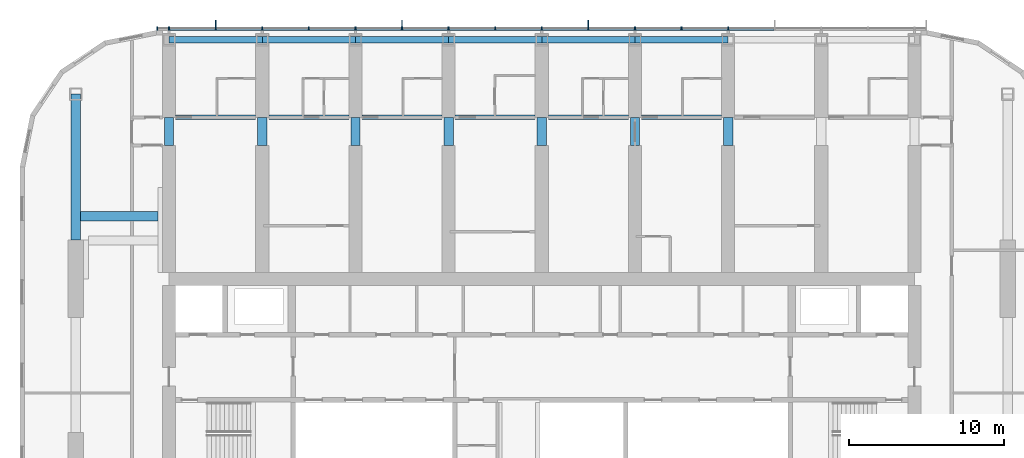
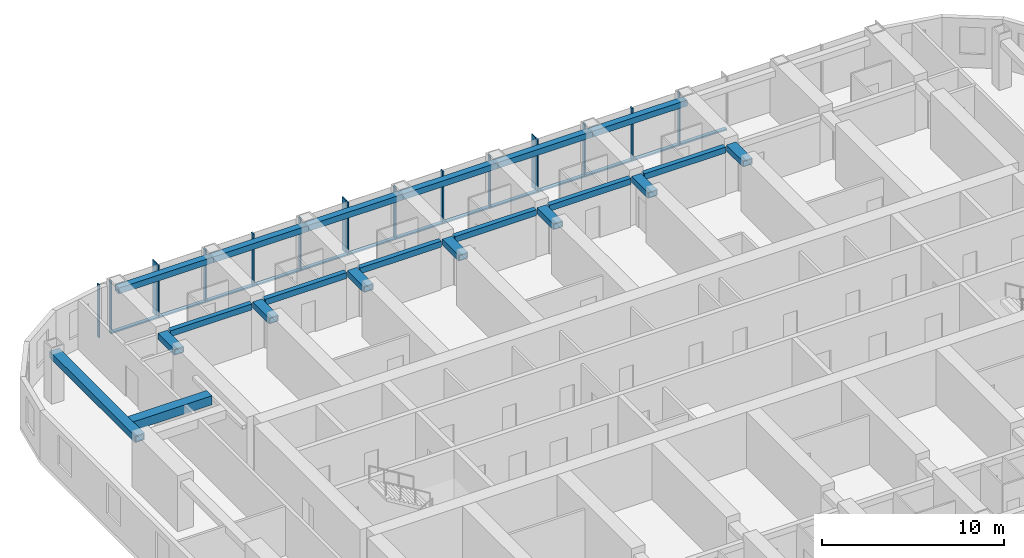
# One storey, part 4 of 22: 30 members, 21 beams, 1 element without a shape of its own.
"""IFC4 building model written with IfcOpenShell, lengths in metres."""

from ifc_helpers import new_model, si_unit, direction, frame, origin, origin_2d, place, context, subcontext, project, spatial, rectangle, hollow_rectangle, extrude, material, material_profile, profile_set, type_object, element, aggregate, save


model = new_model("IFC4")

# Units and contexts
model_context = context("Model", 3, precision=1e-05, world=origin(), true_north=direction((0.0, 1.0)))
body_context = subcontext(model_context, "Body", "Model", "MODEL_VIEW")
ifc_project = project(units=[si_unit("LENGTHUNIT", "METRE"), si_unit("AREAUNIT", "SQUARE_METRE"), si_unit("VOLUMEUNIT", "CUBIC_METRE"), si_unit("PLANEANGLEUNIT", "RADIAN"), si_unit("MASSUNIT", "GRAM", prefix="KILO")], contexts=[model_context])

# Site, building, storey
site_placement = place(None, origin())
site = spatial("IfcSite", under=ifc_project, at=site_placement, CompositionType="ELEMENT")
building_placement = place(site_placement, origin())
building = spatial("IfcBuilding", under=site, at=building_placement, Name="Orbita Commons", CompositionType="ELEMENT")
storey_placement = place(building_placement, frame((0.0, 0.0, 144.85009765625)))
storey = spatial("IfcBuildingStorey", under=building, at=storey_placement, Name="L35", CompositionType="ELEMENT", Elevation=144.85009765625)

# Curtain wall, members
ifc_material_1 = material(Name="Anodised aluminium frame, pale silver", Category="aluminium")
curtain_wall_type = type_object("IfcCurtainWallType", Name="Unitised curtain wall CW-U, full-height vision", PredefinedType="NOTDEFINED", material=ifc_material_1)
curtain_wall_placement = place(storey_placement, origin())
curtain_wall = element("IfcCurtainWall", 1, at=curtain_wall_placement, inside=storey, type_object=curtain_wall_type, Name="Curtain wall north L35", PredefinedType="NOTDEFINED")
ifc_material_2 = material(Name="Anodised aluminium, pale silver", Category="aluminium")
ifc_material_profile_1 = material_profile(ifc_material_2, rectangle(XDim=0.080078125, YDim=0.219970703125, at=origin_2d()), Name="AL 80x220")
ifc_profile_set_1 = profile_set([ifc_material_profile_1], Name="Anodised aluminium, pale silver")
member_type_1 = type_object("IfcMemberType", Name="Curtain wall mullion 80x220", PredefinedType="MULLION", material=ifc_profile_set_1)
member_1_placement = place(storey_placement, frame((54.0, 54.31005859375, -0.25), z_axis=(0.0, 0.0, 1.0), x_axis=(-1.0, 0.0, 0.0)))
member_1 = element("IfcMember", 2, at=member_1_placement, type_object=member_type_1, Name="Mullion 6 CW-L35-N", PredefinedType="MULLION", context=body_context, shape_type="SweptSolid", body=[
    extrude(rectangle(XDim=0.080078125, YDim=0.219970703125, at=origin_2d()), origin(), (0.0, 0.0, 1.0), 3.5498046875),
])
member_2_placement = place(storey_placement, frame((51.0, 54.31005859375, -0.25), z_axis=(0.0, 0.0, 1.0), x_axis=(-1.0, 0.0, 0.0)))
member_2 = element("IfcMember", 3, at=member_2_placement, type_object=member_type_1, Name="Mullion 7 CW-L35-N", PredefinedType="MULLION", context=body_context, shape_type="SweptSolid", body=[
    extrude(rectangle(XDim=0.080078125, YDim=0.219970703125, at=origin_2d()), origin(), (0.0, 0.0, 1.0), 3.5498046875),
])
member_3_placement = place(storey_placement, frame((48.0, 54.31005859375, -0.25), z_axis=(0.0, 0.0, 1.0), x_axis=(-1.0, 0.0, 0.0)))
member_3 = element("IfcMember", 4, at=member_3_placement, type_object=member_type_1, Name="Mullion 8 CW-L35-N", PredefinedType="MULLION", context=body_context, shape_type="SweptSolid", body=[
    extrude(rectangle(XDim=0.080078125, YDim=0.219970703125, at=origin_2d()), origin(), (0.0, 0.0, 1.0), 3.5498046875),
])
member_4_placement = place(storey_placement, frame((45.0, 54.31005859375, -0.25), z_axis=(0.0, 0.0, 1.0), x_axis=(-1.0, 0.0, 0.0)))
member_4 = element("IfcMember", 5, at=member_4_placement, type_object=member_type_1, Name="Mullion 9 CW-L35-N", PredefinedType="MULLION", context=body_context, shape_type="SweptSolid", body=[
    extrude(rectangle(XDim=0.080078125, YDim=0.219970703125, at=origin_2d()), origin(), (0.0, 0.0, 1.0), 3.5498046875),
])
member_5_placement = place(storey_placement, frame((42.0, 54.31005859375, -0.25), z_axis=(0.0, 0.0, 1.0), x_axis=(-1.0, 0.0, 0.0)))
member_5 = element("IfcMember", 6, at=member_5_placement, type_object=member_type_1, Name="Mullion 10 CW-L35-N", PredefinedType="MULLION", context=body_context, shape_type="SweptSolid", body=[
    extrude(rectangle(XDim=0.080078125, YDim=0.219970703125, at=origin_2d()), origin(), (0.0, 0.0, 1.0), 3.5498046875),
])
member_6_placement = place(storey_placement, frame((39.0, 54.31005859375, -0.25), z_axis=(0.0, 0.0, 1.0), x_axis=(-1.0, 0.0, 0.0)))
member_6 = element("IfcMember", 7, at=member_6_placement, type_object=member_type_1, Name="Mullion 11 CW-L35-N", PredefinedType="MULLION", context=body_context, shape_type="SweptSolid", body=[
    extrude(rectangle(XDim=0.080078125, YDim=0.219970703125, at=origin_2d()), origin(), (0.0, 0.0, 1.0), 3.5498046875),
])
member_7_placement = place(storey_placement, frame((36.0, 54.31005859375, -0.25), z_axis=(0.0, 0.0, 1.0), x_axis=(-1.0, 0.0, 0.0)))
member_7 = element("IfcMember", 8, at=member_7_placement, type_object=member_type_1, Name="Mullion 12 CW-L35-N", PredefinedType="MULLION", context=body_context, shape_type="SweptSolid", body=[
    extrude(rectangle(XDim=0.080078125, YDim=0.219970703125, at=origin_2d()), origin(), (0.0, 0.0, 1.0), 3.5498046875),
])
member_8_placement = place(storey_placement, frame((33.0, 54.31005859375, -0.25), z_axis=(0.0, 0.0, 1.0), x_axis=(-1.0, 0.0, 0.0)))
member_8 = element("IfcMember", 9, at=member_8_placement, type_object=member_type_1, Name="Mullion 13 CW-L35-N", PredefinedType="MULLION", context=body_context, shape_type="SweptSolid", body=[
    extrude(rectangle(XDim=0.080078125, YDim=0.219970703125, at=origin_2d()), origin(), (0.0, 0.0, 1.0), 3.5498046875),
])
member_9_placement = place(storey_placement, frame((30.0, 54.31005859375, -0.25), z_axis=(0.0, 0.0, 1.0), x_axis=(-1.0, 0.0, 0.0)))
member_9 = element("IfcMember", 10, at=member_9_placement, type_object=member_type_1, Name="Mullion 14 CW-L35-N", PredefinedType="MULLION", context=body_context, shape_type="SweptSolid", body=[
    extrude(rectangle(XDim=0.080078125, YDim=0.219970703125, at=origin_2d()), origin(), (0.0, 0.0, 1.0), 3.5498046875),
])
member_10_placement = place(storey_placement, frame((27.0, 54.31005859375, -0.25), z_axis=(0.0, 0.0, 1.0), x_axis=(-1.0, 0.0, 0.0)))
member_10 = element("IfcMember", 11, at=member_10_placement, type_object=member_type_1, Name="Mullion 15 CW-L35-N", PredefinedType="MULLION", context=body_context, shape_type="SweptSolid", body=[
    extrude(rectangle(XDim=0.080078125, YDim=0.219970703125, at=origin_2d()), origin(), (0.0, 0.0, 1.0), 3.5498046875),
])
member_11_placement = place(storey_placement, frame((24.0, 54.31005859375, -0.25), z_axis=(0.0, 0.0, 1.0), x_axis=(-1.0, 0.0, 0.0)))
member_11 = element("IfcMember", 12, at=member_11_placement, type_object=member_type_1, Name="Mullion 16 CW-L35-N", PredefinedType="MULLION", context=body_context, shape_type="SweptSolid", body=[
    extrude(rectangle(XDim=0.080078125, YDim=0.219970703125, at=origin_2d()), origin(), (0.0, 0.0, 1.0), 3.5498046875),
])
member_12_placement = place(storey_placement, frame((21.0, 54.31005859375, -0.25), z_axis=(0.0, 0.0, 1.0), x_axis=(-1.0, 0.0, 0.0)))
member_12 = element("IfcMember", 13, at=member_12_placement, type_object=member_type_1, Name="Mullion 17 CW-L35-N", PredefinedType="MULLION", context=body_context, shape_type="SweptSolid", body=[
    extrude(rectangle(XDim=0.080078125, YDim=0.219970703125, at=origin_2d()), origin(), (0.0, 0.0, 1.0), 3.5498046875),
])
member_13_placement = place(storey_placement, frame((18.0, 54.31005859375, -0.25), z_axis=(0.0, 0.0, 1.0), x_axis=(-1.0, 0.0, 0.0)))
member_13 = element("IfcMember", 14, at=member_13_placement, type_object=member_type_1, Name="Mullion 18 CW-L35-N", PredefinedType="MULLION", context=body_context, shape_type="SweptSolid", body=[
    extrude(rectangle(XDim=0.080078125, YDim=0.219970703125, at=origin_2d()), origin(), (0.0, 0.0, 1.0), 3.5498046875),
])
member_14_placement = place(storey_placement, frame((17.239990234375, 54.31005859375, -0.25), z_axis=(0.0, 0.0, 1.0), x_axis=(-1.0, 0.0, 0.0)))
member_14 = element("IfcMember", 15, at=member_14_placement, type_object=member_type_1, Name="Mullion 19 CW-L35-N", PredefinedType="MULLION", context=body_context, shape_type="SweptSolid", body=[
    extrude(rectangle(XDim=0.080078125, YDim=0.219970703125, at=origin_2d()), origin(), (0.0, 0.0, 1.0), 3.5498046875),
])
ifc_material_3 = material(Name="Anodised aluminium, pale silver", Category="aluminium")
ifc_material_profile_2 = material_profile(ifc_material_3, rectangle(XDim=0.219970703125, YDim=0.10009765625, at=origin_2d()), Name="AL 220x100")
ifc_profile_set_2 = profile_set([ifc_material_profile_2], Name="Anodised aluminium, pale silver")
member_type_2 = type_object("IfcMemberType", Name="Curtain wall stack transom 220x100", PredefinedType="USERDEFINED", material=ifc_profile_set_2)
member_15_placement = place(storey_placement, frame((56.9599609375, 54.31005859375, -0.2001953125), z_axis=(-1.0, 0.0, 0.0), x_axis=(0.0, -1.0, 0.0)))
member_15 = element("IfcMember", 16, at=member_15_placement, type_object=member_type_2, Name="Transom 5.1 CW-L35-N", ObjectType="TRANSOM", PredefinedType="USERDEFINED", context=body_context, shape_type="SweptSolid", body=[
    extrude(rectangle(XDim=0.219970703125, YDim=0.10009765625, at=origin_2d()), origin(), (0.0, 0.0, 1.0), 2.919921875),
])
member_16_placement = place(storey_placement, frame((53.9599609375, 54.31005859375, -0.2001953125), z_axis=(-1.0, 0.0, 0.0), x_axis=(0.0, -1.0, 0.0)))
member_16 = element("IfcMember", 17, at=member_16_placement, type_object=member_type_2, Name="Transom 6.1 CW-L35-N", ObjectType="TRANSOM", PredefinedType="USERDEFINED", context=body_context, shape_type="SweptSolid", body=[
    extrude(rectangle(XDim=0.219970703125, YDim=0.10009765625, at=origin_2d()), origin(), (0.0, 0.0, 1.0), 2.919921875),
])
member_17_placement = place(storey_placement, frame((50.9599609375, 54.31005859375, -0.2001953125), z_axis=(-1.0, 0.0, 0.0), x_axis=(0.0, -1.0, 0.0)))
member_17 = element("IfcMember", 18, at=member_17_placement, type_object=member_type_2, Name="Transom 7.1 CW-L35-N", ObjectType="TRANSOM", PredefinedType="USERDEFINED", context=body_context, shape_type="SweptSolid", body=[
    extrude(rectangle(XDim=0.219970703125, YDim=0.10009765625, at=origin_2d()), origin(), (0.0, 0.0, 1.0), 2.919921875),
])
member_18_placement = place(storey_placement, frame((47.9599609375, 54.31005859375, -0.2001953125), z_axis=(-1.0, 0.0, 0.0), x_axis=(0.0, -1.0, 0.0)))
member_18 = element("IfcMember", 19, at=member_18_placement, type_object=member_type_2, Name="Transom 8.1 CW-L35-N", ObjectType="TRANSOM", PredefinedType="USERDEFINED", context=body_context, shape_type="SweptSolid", body=[
    extrude(rectangle(XDim=0.219970703125, YDim=0.10009765625, at=origin_2d()), origin(), (0.0, 0.0, 1.0), 2.919921875),
])
member_19_placement = place(storey_placement, frame((44.9599609375, 54.31005859375, -0.2001953125), z_axis=(-1.0, 0.0, 0.0), x_axis=(0.0, -1.0, 0.0)))
member_19 = element("IfcMember", 20, at=member_19_placement, type_object=member_type_2, Name="Transom 9.1 CW-L35-N", ObjectType="TRANSOM", PredefinedType="USERDEFINED", context=body_context, shape_type="SweptSolid", body=[
    extrude(rectangle(XDim=0.219970703125, YDim=0.10009765625, at=origin_2d()), origin(), (0.0, 0.0, 1.0), 2.919921875),
])
member_20_placement = place(storey_placement, frame((41.9599609375, 54.31005859375, -0.2001953125), z_axis=(-1.0, 0.0, 0.0), x_axis=(0.0, -1.0, 0.0)))
member_20 = element("IfcMember", 21, at=member_20_placement, type_object=member_type_2, Name="Transom 10.1 CW-L35-N", ObjectType="TRANSOM", PredefinedType="USERDEFINED", context=body_context, shape_type="SweptSolid", body=[
    extrude(rectangle(XDim=0.219970703125, YDim=0.10009765625, at=origin_2d()), origin(), (0.0, 0.0, 1.0), 2.919921875),
])
member_21_placement = place(storey_placement, frame((38.9599609375, 54.31005859375, -0.2001953125), z_axis=(-1.0, 0.0, 0.0), x_axis=(0.0, -1.0, 0.0)))
member_21 = element("IfcMember", 22, at=member_21_placement, type_object=member_type_2, Name="Transom 11.1 CW-L35-N", ObjectType="TRANSOM", PredefinedType="USERDEFINED", context=body_context, shape_type="SweptSolid", body=[
    extrude(rectangle(XDim=0.219970703125, YDim=0.10009765625, at=origin_2d()), origin(), (0.0, 0.0, 1.0), 2.919921875),
])
member_22_placement = place(storey_placement, frame((35.9599609375, 54.31005859375, -0.2001953125), z_axis=(-1.0, 0.0, 0.0), x_axis=(0.0, -1.0, 0.0)))
member_22 = element("IfcMember", 23, at=member_22_placement, type_object=member_type_2, Name="Transom 12.1 CW-L35-N", ObjectType="TRANSOM", PredefinedType="USERDEFINED", context=body_context, shape_type="SweptSolid", body=[
    extrude(rectangle(XDim=0.219970703125, YDim=0.10009765625, at=origin_2d()), origin(), (0.0, 0.0, 1.0), 2.919921875),
])
member_23_placement = place(storey_placement, frame((32.9599609375, 54.31005859375, -0.2001953125), z_axis=(-1.0, 0.0, 0.0), x_axis=(0.0, -1.0, 0.0)))
member_23 = element("IfcMember", 24, at=member_23_placement, type_object=member_type_2, Name="Transom 13.1 CW-L35-N", ObjectType="TRANSOM", PredefinedType="USERDEFINED", context=body_context, shape_type="SweptSolid", body=[
    extrude(rectangle(XDim=0.219970703125, YDim=0.10009765625, at=origin_2d()), origin(), (0.0, 0.0, 1.0), 2.919921875),
])
member_24_placement = place(storey_placement, frame((29.9599609375, 54.31005859375, -0.2001953125), z_axis=(-1.0, 0.0, 0.0), x_axis=(0.0, -1.0, 0.0)))
member_24 = element("IfcMember", 25, at=member_24_placement, type_object=member_type_2, Name="Transom 14.1 CW-L35-N", ObjectType="TRANSOM", PredefinedType="USERDEFINED", context=body_context, shape_type="SweptSolid", body=[
    extrude(rectangle(XDim=0.219970703125, YDim=0.10009765625, at=origin_2d()), origin(), (0.0, 0.0, 1.0), 2.919921875),
])
member_25_placement = place(storey_placement, frame((26.9599609375, 54.31005859375, -0.2001953125), z_axis=(-1.0, 0.0, 0.0), x_axis=(0.0, -1.0, 0.0)))
member_25 = element("IfcMember", 26, at=member_25_placement, type_object=member_type_2, Name="Transom 15.1 CW-L35-N", ObjectType="TRANSOM", PredefinedType="USERDEFINED", context=body_context, shape_type="SweptSolid", body=[
    extrude(rectangle(XDim=0.219970703125, YDim=0.10009765625, at=origin_2d()), origin(), (0.0, 0.0, 1.0), 2.919921875),
])
member_26_placement = place(storey_placement, frame((23.9599609375, 54.31005859375, -0.2001953125), z_axis=(-1.0, 0.0, 0.0), x_axis=(0.0, -1.0, 0.0)))
member_26 = element("IfcMember", 27, at=member_26_placement, type_object=member_type_2, Name="Transom 16.1 CW-L35-N", ObjectType="TRANSOM", PredefinedType="USERDEFINED", context=body_context, shape_type="SweptSolid", body=[
    extrude(rectangle(XDim=0.219970703125, YDim=0.10009765625, at=origin_2d()), origin(), (0.0, 0.0, 1.0), 2.919921875),
])
member_27_placement = place(storey_placement, frame((20.9599609375, 54.31005859375, -0.2001953125), z_axis=(-1.0, 0.0, 0.0), x_axis=(0.0, -1.0, 0.0)))
member_27 = element("IfcMember", 28, at=member_27_placement, type_object=member_type_2, Name="Transom 17.1 CW-L35-N", ObjectType="TRANSOM", PredefinedType="USERDEFINED", context=body_context, shape_type="SweptSolid", body=[
    extrude(rectangle(XDim=0.219970703125, YDim=0.10009765625, at=origin_2d()), origin(), (0.0, 0.0, 1.0), 2.919921875),
])

# Beams
ifc_material_4 = material(Name="Steel ASTM A572 Gr 50 welded plate", Category="steel")
ifc_material_profile_3 = material_profile(ifc_material_4, hollow_rectangle(XDim=0.60009765625, YDim=0.60009765625, WallThickness=0.06005859375, at=origin_2d()), Name="BOX 600x600x60")
ifc_profile_set_3 = profile_set([ifc_material_profile_3], Name="Steel ASTM A572 Gr 50 welded plate")
beam_type_1 = type_object("IfcBeamType", Name="Stair trimmer beam BOX 600x600x60", PredefinedType="BEAM", material=ifc_profile_set_3)
beam_1_placement = place(storey_placement, frame((12.300048828125, 42.235107421875, 3.0), z_axis=(1.0, 0.0, 0.0), x_axis=(0.0, 1.0, 0.0)))
element("IfcBeam", 29, at=beam_1_placement, inside=storey, type_object=beam_type_1, Name="Neighbourhood stair L36 to L37 transfer beam 2", PredefinedType="BEAM", context=body_context, shape_type="SweptSolid", body=[
    extrude(hollow_rectangle(XDim=0.60009765625, YDim=0.60009765625, WallThickness=0.06005859375, at=origin_2d()), origin(), (0.0, 0.0, 1.0), 4.974853515625),
])
ifc_material_5 = material(Name="Steel ASTM A572 Gr 50 welded plate", Category="steel")
ifc_material_profile_4 = material_profile(ifc_material_5, hollow_rectangle(XDim=0.300048828125, YDim=0.39990234375, WallThickness=0.0400390625, at=origin_2d()), Name="BOX 400x300x40")
ifc_profile_set_4 = profile_set([ifc_material_profile_4], Name="Steel ASTM A572 Gr 50 welded plate")
beam_type_2 = type_object("IfcBeamType", Name="Steel corridor link BOX 400x300x40", PredefinedType="BEAM", material=ifc_profile_set_4)
for number, where, z_axis, x_axis, name in (
    (30, (18.425048828125, 48.60009765625, 3.099853515625), (1.0, 0.0, 0.0), (0.0, 1.0, 0.0), "Corridor beam NB 4-5 L35"),
    (31, (24.425048828125, 48.60009765625, 3.099853515625), (1.0, 0.0, 0.0), (0.0, 1.0, 0.0), "Corridor beam NB 5-6 L35"),
    (32, (30.425048828125, 48.60009765625, 3.099853515625), (1.0, 0.0, 0.0), (0.0, 1.0, 0.0), "Corridor beam NB 6-7 L35"),
    (33, (36.425048828125, 48.60009765625, 3.099853515625), (1.0, 0.0, 0.0), (0.0, 1.0, 0.0), "Corridor beam NB 7-8 L35"),
    (34, (42.425048828125, 48.60009765625, 3.099853515625), (1.0, 0.0, 0.0), (0.0, 1.0, 0.0), "Corridor beam NB 8-9 L35"),
    (35, (48.425048828125, 48.60009765625, 3.099853515625), (1.0, 0.0, 0.0), (0.0, 1.0, 0.0), "Corridor beam NB 9-10 L35"),
):
    element("IfcBeam", number, at=place(storey_placement, frame(where, z_axis=z_axis, x_axis=x_axis)), inside=storey, type_object=beam_type_2, Name=name, PredefinedType="BEAM", context=body_context, shape_type="SweptSolid", body=[
        extrude(hollow_rectangle(XDim=0.300048828125, YDim=0.39990234375, WallThickness=0.0400390625, at=origin_2d()), origin(), (0.0, 0.0, 1.0), 5.14990234375),
    ])
ifc_material_6 = material(Name="Steel ASTM A572 Gr 50 welded plate", Category="steel")
ifc_material_profile_5 = material_profile(ifc_material_6, hollow_rectangle(XDim=0.60009765625, YDim=0.39990234375, WallThickness=0.050048828125, at=origin_2d()), Name="BOX 400x600x50")
ifc_profile_set_5 = profile_set([ifc_material_profile_5], Name="Steel ASTM A572 Gr 50 welded plate")
beam_type_3 = type_object("IfcBeamType", Name="Steel coupling link BOX 400x600x50", PredefinedType="LINTEL", material=ifc_profile_set_5)
for number, where, z_axis, x_axis, name in (
    (36, (18.0, 46.800048828125, 3.099853515625), (0.0, 1.0, 0.0), (-1.0, 0.0, 0.0), "Coupling beam 4 north L35"),
    (37, (24.0, 46.800048828125, 3.099853515625), (0.0, 1.0, 0.0), (-1.0, 0.0, 0.0), "Coupling beam 5 north L35"),
    (38, (30.0, 46.800048828125, 3.099853515625), (0.0, 1.0, 0.0), (-1.0, 0.0, 0.0), "Coupling beam 6 north L35"),
    (39, (36.0, 46.800048828125, 3.099853515625), (0.0, 1.0, 0.0), (-1.0, 0.0, 0.0), "Coupling beam 7 north L35"),
    (40, (42.0, 46.800048828125, 3.099853515625), (0.0, 1.0, 0.0), (-1.0, 0.0, 0.0), "Coupling beam 8 north L35"),
    (41, (48.0, 46.800048828125, 3.099853515625), (0.0, 1.0, 0.0), (-1.0, 0.0, 0.0), "Coupling beam 9 north L35"),
    (42, (54.0, 46.800048828125, 3.099853515625), (0.0, 1.0, 0.0), (-1.0, 0.0, 0.0), "Coupling beam 10 north L35"),
):
    element("IfcBeam", number, at=place(storey_placement, frame(where, z_axis=z_axis, x_axis=x_axis)), inside=storey, type_object=beam_type_3, Name=name, PredefinedType="LINTEL", context=body_context, shape_type="SweptSolid", body=[
        extrude(hollow_rectangle(XDim=0.60009765625, YDim=0.39990234375, WallThickness=0.050048828125, at=origin_2d()), origin(), (0.0, 0.0, 1.0), 1.800048828125),
    ])
ifc_material_7 = material(Name="Steel ASTM A572 Gr 50 welded plate", Category="steel")
ifc_material_profile_6 = material_profile(ifc_material_7, hollow_rectangle(XDim=0.60009765625, YDim=0.449951171875, WallThickness=0.06005859375, at=origin_2d()), Name="BOX 450x600x60")
ifc_profile_set_6 = profile_set([ifc_material_profile_6], Name="Steel ASTM A572 Gr 50 welded plate")
beam_type_4 = type_object("IfcBeamType", Name="Steel end frame link BOX 450x600x60", PredefinedType="BEAM", material=ifc_profile_set_6)
beam_2_placement = place(storey_placement, frame((12.0, 40.699951171875, 3.074951171875), z_axis=(0.0, 1.0, 0.0), x_axis=(-1.0, 0.0, 0.0)))
element("IfcBeam", 43, at=beam_2_placement, inside=storey, type_object=beam_type_4, Name="End frame beam 3 D-E L35", PredefinedType="BEAM", context=body_context, shape_type="SweptSolid", body=[
    extrude(hollow_rectangle(XDim=0.60009765625, YDim=0.449951171875, WallThickness=0.06005859375, at=origin_2d()), origin(), (0.0, 0.0, 1.0), 9.400146484375),
])
ifc_material_8 = material(Name="Steel ASTM A572 Gr 50 welded plate", Category="steel")
ifc_material_profile_7 = material_profile(ifc_material_8, hollow_rectangle(XDim=0.39990234375, YDim=0.39990234375, WallThickness=0.0400390625, at=origin_2d()), Name="BOX 400x400x40")
ifc_profile_set_7 = profile_set([ifc_material_profile_7], Name="Steel ASTM A572 Gr 50 welded plate")
beam_type_5 = type_object("IfcBeamType", Name="Steel spandrel BOX 400x400x40", PredefinedType="SPANDREL", material=ifc_profile_set_7)
for number, where, z_axis, x_axis, name in (
    (44, (18.0, 53.60009765625, 3.099853515625), (1.0, 0.0, 0.0), (0.0, 1.0, 0.0), "Spandrel beam E 4-5 L35"),
    (45, (24.0, 53.60009765625, 3.099853515625), (1.0, 0.0, 0.0), (0.0, 1.0, 0.0), "Spandrel beam E 5-6 L35"),
    (46, (30.0, 53.60009765625, 3.099853515625), (1.0, 0.0, 0.0), (0.0, 1.0, 0.0), "Spandrel beam E 6-7 L35"),
    (47, (36.0, 53.60009765625, 3.099853515625), (1.0, 0.0, 0.0), (0.0, 1.0, 0.0), "Spandrel beam E 7-8 L35"),
    (48, (42.0, 53.60009765625, 3.099853515625), (1.0, 0.0, 0.0), (0.0, 1.0, 0.0), "Spandrel beam E 8-9 L35"),
    (49, (48.0, 53.60009765625, 3.099853515625), (1.0, 0.0, 0.0), (0.0, 1.0, 0.0), "Spandrel beam E 9-10 L35"),
):
    element("IfcBeam", number, at=place(storey_placement, frame(where, z_axis=z_axis, x_axis=x_axis)), inside=storey, type_object=beam_type_5, Name=name, PredefinedType="SPANDREL", context=body_context, shape_type="SweptSolid", body=[
        extrude(hollow_rectangle(XDim=0.39990234375, YDim=0.39990234375, WallThickness=0.0400390625, at=origin_2d()), origin(), (0.0, 0.0, 1.0), 6.0),
    ])

# Member
ifc_material_9 = material(Name="Anodised aluminium, pale silver", Category="aluminium")
ifc_material_profile_8 = material_profile(ifc_material_9, rectangle(XDim=0.06005859375, YDim=0.449951171875, at=origin_2d()), Name="FIN 60x450")
ifc_profile_set_8 = profile_set([ifc_material_profile_8], Name="Anodised aluminium, pale silver")
member_type_3 = type_object("IfcMemberType", Name="Vertical fin 60x450 pale aluminium", PredefinedType="USERDEFINED", material=ifc_profile_set_8)
member_28_placement = place(storey_placement, frame((45.0, 54.64501953125, -0.25), z_axis=(0.0, 0.0, 1.0), x_axis=(-1.0, 0.0, 0.0)))
member_28 = element("IfcMember", 50, at=member_28_placement, type_object=member_type_3, Name="Fin 9 CW-L35-N", ObjectType="FIN", PredefinedType="USERDEFINED", context=body_context, shape_type="SweptSolid", body=[
    extrude(rectangle(XDim=0.06005859375, YDim=0.449951171875, at=origin_2d()), origin(), (0.0, 0.0, 1.0), 3.5498046875),
])

member_29_placement = place(storey_placement, frame((33.0, 54.64501953125, -0.25), z_axis=(0.0, 0.0, 1.0), x_axis=(-1.0, 0.0, 0.0)))
member_29 = element("IfcMember", 51, at=member_29_placement, type_object=member_type_3, Name="Fin 13 CW-L35-N", ObjectType="FIN", PredefinedType="USERDEFINED", context=body_context, shape_type="SweptSolid", body=[
    extrude(rectangle(XDim=0.06005859375, YDim=0.449951171875, at=origin_2d()), origin(), (0.0, 0.0, 1.0), 3.5498046875),
])

member_30_placement = place(storey_placement, frame((21.0, 54.64501953125, -0.25), z_axis=(0.0, 0.0, 1.0), x_axis=(-1.0, 0.0, 0.0)))
member_30 = element("IfcMember", 52, at=member_30_placement, type_object=member_type_3, Name="Fin 17 CW-L35-N", ObjectType="FIN", PredefinedType="USERDEFINED", context=body_context, shape_type="SweptSolid", body=[
    extrude(rectangle(XDim=0.06005859375, YDim=0.449951171875, at=origin_2d()), origin(), (0.0, 0.0, 1.0), 3.5498046875),
])

aggregate(curtain_wall, [member_1, member_2, member_3, member_4, member_28, member_5, member_6, member_7, member_8, member_29, member_9, member_10, member_11, member_12, member_30, member_13, member_14, member_15, member_16, member_17, member_18, member_19, member_20, member_21, member_22, member_23, member_24, member_25, member_26, member_27])

save(model, "model.ifc")
